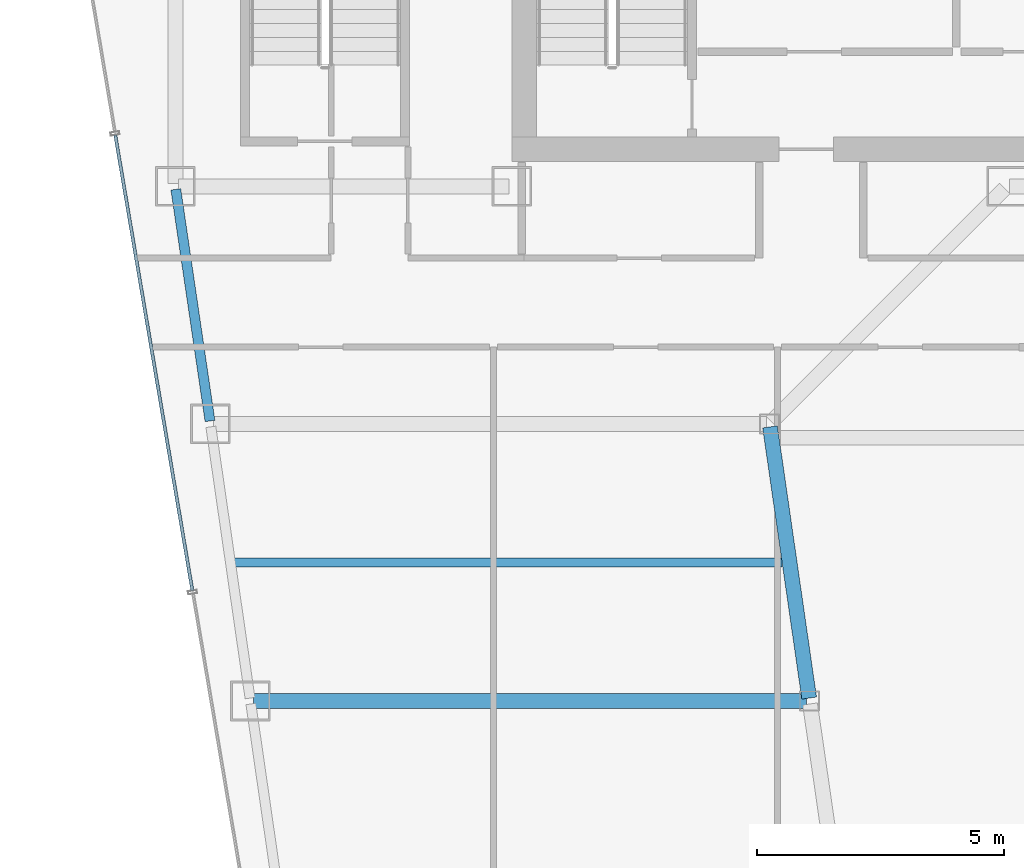
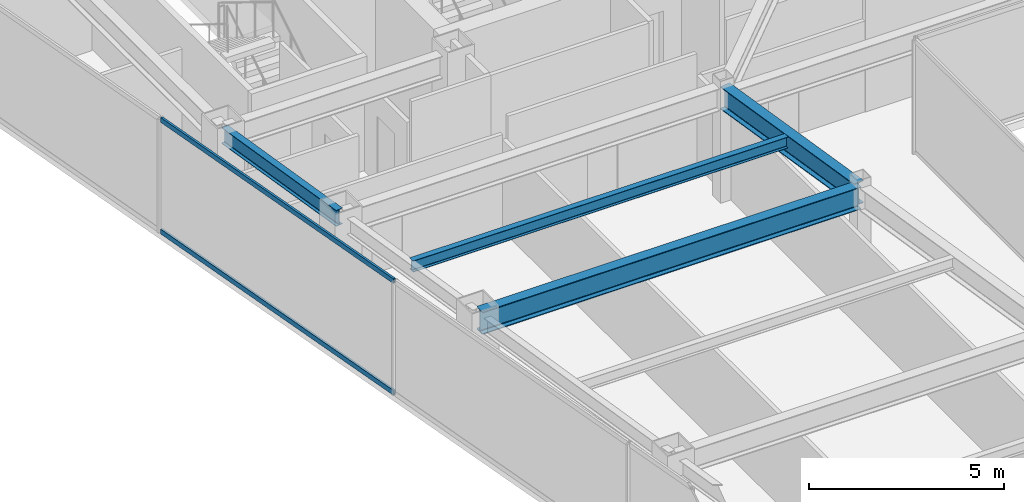
# One storey, part 10 of 36: 4 beams, 2 members, 1 element without a shape of its own.
"""IFC4 building model written with IfcOpenShell, lengths in metres."""

from ifc_helpers import new_model, si_unit, direction, frame, origin, origin_2d, place, context, subcontext, project, spatial, hollow_rectangle, i_section, extrude, material, material_profile, profile_set, type_object, element, aggregate, save


model = new_model("IFC4")

# Units and contexts
model_context = context("Model", 3, precision=1e-05, world=origin(), true_north=direction((0.0, 1.0)))
body_context = subcontext(model_context, "Body", "Model", "MODEL_VIEW")
ifc_project = project(units=[si_unit("LENGTHUNIT", "METRE"), si_unit("AREAUNIT", "SQUARE_METRE"), si_unit("VOLUMEUNIT", "CUBIC_METRE"), si_unit("PLANEANGLEUNIT", "RADIAN"), si_unit("MASSUNIT", "GRAM", prefix="KILO")], contexts=[model_context])

# Site, building, storey
site_placement = place(None, origin())
site = spatial("IfcSite", under=ifc_project, at=site_placement, CompositionType="ELEMENT")
building_placement = place(site_placement, origin())
building = spatial("IfcBuilding", under=site, at=building_placement, Name="Saevonmaru Cultural Tower", CompositionType="ELEMENT")
storey_placement = place(building_placement, frame((0.0, 0.0, 182.800048828125)))
storey = spatial("IfcBuildingStorey", under=building, at=storey_placement, Name="L41", CompositionType="ELEMENT", Elevation=182.800048828125)

# Beams
ifc_material_1 = material(Name="Steel SM355", Category="steel")
ifc_material_profile_1 = material_profile(ifc_material_1, i_section(OverallWidth=0.300048828125, OverallDepth=0.699951171875, WebThickness=0.012939453125, FlangeThickness=0.02392578125, FilletRadius=0.02587890625, at=origin_2d()), Name="H-700x300x13x24")
ifc_profile_set_1 = profile_set([ifc_material_profile_1], Name="Steel SM355")
beam_type_1 = type_object("IfcBeamType", Name="BM-G-H700", PredefinedType="BEAM", material=ifc_profile_set_1)
beam_1_placement = place(storey_placement, frame((19.6083984375, 32.059326171875, 3.199951171875), z_axis=(-0.142964121327, 0.989727871697, 0.0), x_axis=(-0.989727871697, -0.142964121327, 0.0)))
element("IfcBeam", 1, at=beam_1_placement, inside=storey, type_object=beam_type_1, Name="L41 West Atrium Girder 3", PredefinedType="BEAM", context=body_context, shape_type="SweptSolid", body=[
    extrude(i_section(OverallWidth=0.300048828125, OverallDepth=0.699951171875, WebThickness=0.012939453125, FlangeThickness=0.02392578125, FilletRadius=0.02587890625, at=origin_2d()), origin(), (0.0, 0.0, 1.0), 5.5380859375),
])
beam_2_placement = place(storey_placement, frame((8.376953125, 32.0, 3.199951171875), z_axis=(1.0, 0.0, 0.0), x_axis=(0.0, 1.0, 0.0)))
element("IfcBeam", 2, at=beam_2_placement, inside=storey, type_object=beam_type_1, Name="L41 West Wing Transverse Girder 3", PredefinedType="BEAM", context=body_context, shape_type="SweptSolid", body=[
    extrude(i_section(OverallWidth=0.300048828125, OverallDepth=0.699951171875, WebThickness=0.012939453125, FlangeThickness=0.02392578125, FilletRadius=0.02587890625, at=origin_2d()), origin(), (0.0, 0.0, 1.0), 11.179931640625),
])
ifc_material_profile_2 = material_profile(ifc_material_1, i_section(OverallWidth=0.175048828125, OverallDepth=0.35009765625, WebThickness=0.007080078125, FlangeThickness=0.010986328125, FilletRadius=0.012939453125, at=origin_2d()), Name="H-350x175x7x11")
ifc_profile_set_2 = profile_set([ifc_material_profile_2], Name="Steel SM355")
beam_type_2 = type_object("IfcBeamType", Name="BM-J-H350", PredefinedType="JOIST", material=ifc_profile_set_2)
beam_3_placement = place(storey_placement, frame((7.972412109375, 34.800048828125, 3.375), z_axis=(1.0, 0.0, 0.0), x_axis=(0.0, 1.0, 0.0)))
element("IfcBeam", 3, at=beam_3_placement, inside=storey, type_object=beam_type_2, Name="L41 West Wing Floor Joist 3", PredefinedType="JOIST", context=body_context, shape_type="SweptSolid", body=[
    extrude(i_section(OverallWidth=0.175048828125, OverallDepth=0.35009765625, WebThickness=0.007080078125, FlangeThickness=0.010986328125, FilletRadius=0.012939453125, at=origin_2d()), origin(), (0.0, 0.0, 1.0), 11.08203125),
])
ifc_material_profile_3 = material_profile(ifc_material_1, i_section(OverallWidth=0.199951171875, OverallDepth=0.5, WebThickness=0.010009765625, FlangeThickness=0.01611328125, FilletRadius=0.02001953125, at=origin_2d()), Name="H-500x200x10x16")
ifc_profile_set_3 = profile_set([ifc_material_profile_3], Name="Steel SM355")
beam_type_3 = type_object("IfcBeamType", Name="BM-SP-H500", PredefinedType="SPANDREL", material=ifc_profile_set_3)
beam_4_placement = place(storey_placement, frame((7.499267578125, 37.659423828125, 3.300048828125), z_axis=(-0.145912860028, 0.989297446312, 0.0), x_axis=(-0.989297446312, -0.145912860028, 0.0)))
element("IfcBeam", 4, at=beam_4_placement, inside=storey, type_object=beam_type_3, Name="L41 West Splayed Spandrel 4", PredefinedType="SPANDREL", context=body_context, shape_type="SweptSolid", body=[
    extrude(i_section(OverallWidth=0.199951171875, OverallDepth=0.5, WebThickness=0.010009765625, FlangeThickness=0.01611328125, FilletRadius=0.02001953125, at=origin_2d()), origin(), (0.0, 0.0, 1.0), 4.731689453125),
])

# Curtain wall, members
ifc_material_2 = material(Name="Satin Bronze Anodised Aluminium", Category="aluminium")
curtain_wall_type = type_object("IfcCurtainWallType", Name="CW-TYP-B", PredefinedType="NOTDEFINED", material=ifc_material_2)
curtain_wall_placement = place(storey_placement, origin())
curtain_wall = element("IfcCurtainWall", 5, at=curtain_wall_placement, inside=storey, type_object=curtain_wall_type, Name="L41 Unitised Curtain Wall E12", PredefinedType="NOTDEFINED")
ifc_material_profile_4 = material_profile(ifc_material_2, hollow_rectangle(XDim=0.06494140625, YDim=0.14990234375, WallThickness=0.00390625, at=origin_2d()), Name="ALU-TRAN-150x65x4")
ifc_profile_set_4 = profile_set([ifc_material_profile_4], Name="Satin Bronze Anodised Aluminium")
member_type = type_object("IfcMemberType", Name="TR-CW-150x65", PredefinedType="USERDEFINED", material=ifc_profile_set_4)
member_1_placement = place(storey_placement, frame((5.5849609375, 43.4384765625, 0.032470703125), z_axis=(0.166916960754, -0.985970957084, 0.0), x_axis=(0.985970957084, 0.166916960754, 0.0)))
member_1 = element("IfcMember", 6, at=member_1_placement, type_object=member_type, Name="CW-TW-L41-E12 transom 2.1", ObjectType="TRANSOM", PredefinedType="USERDEFINED", context=body_context, shape_type="SweptSolid", body=[
    extrude(hollow_rectangle(XDim=0.06494140625, YDim=0.14990234375, WallThickness=0.00390625, at=origin_2d()), origin(), (0.0, 0.0, 1.0), 9.337646484375),
])
member_2_placement = place(storey_placement, frame((5.5849609375, 43.4384765625, 3.517333984375), z_axis=(0.166916960754, -0.985970957084, 0.0), x_axis=(0.985970957084, 0.166916960754, 0.0)))
member_2 = element("IfcMember", 7, at=member_2_placement, type_object=member_type, Name="CW-TW-L41-E12 transom 2.2", ObjectType="TRANSOM", PredefinedType="USERDEFINED", context=body_context, shape_type="SweptSolid", body=[
    extrude(hollow_rectangle(XDim=0.06494140625, YDim=0.14990234375, WallThickness=0.00390625, at=origin_2d()), origin(), (0.0, 0.0, 1.0), 9.337646484375),
])
aggregate(curtain_wall, [member_1, member_2])

save(model, "model.ifc")
